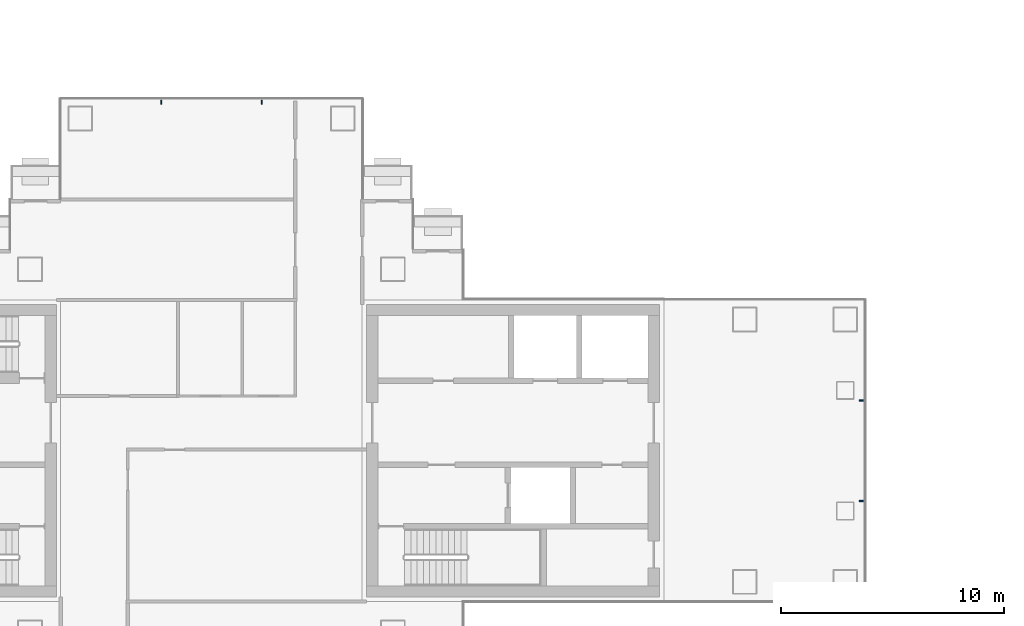
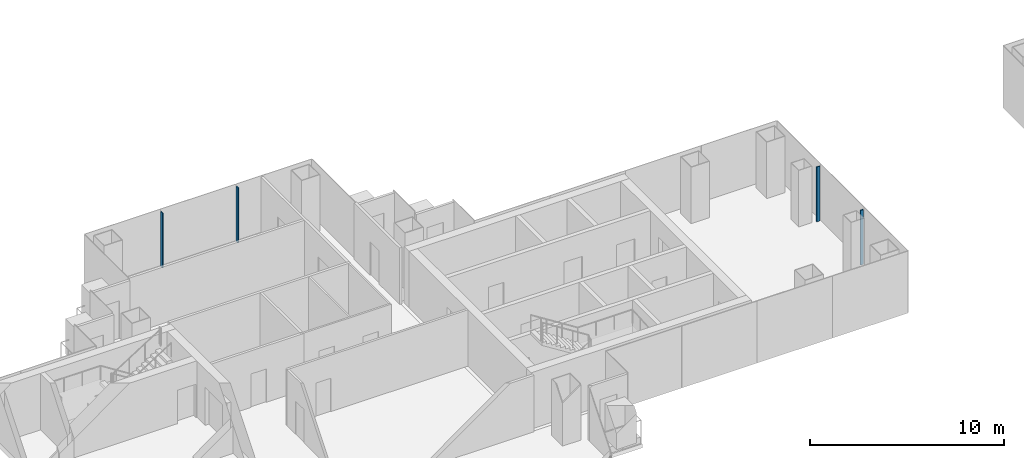
# One storey, part 4 of 16: 4 members, 2 elements without a shape of their own.
"""IFC4 building model written with IfcOpenShell, lengths in metres."""

from ifc_helpers import new_model, si_unit, direction, frame, origin, origin_2d, place, context, subcontext, project, spatial, rectangle, extrude, material, layer, layer_set, material_profile, profile_set, type_object, element, aggregate, save


model = new_model("IFC4")

# Units and contexts
model_context = context("Model", 3, precision=1e-05, world=origin(), true_north=direction((0.0, 1.0)))
body_context = subcontext(model_context, "Body", "Model", "MODEL_VIEW")
ifc_project = project(units=[si_unit("LENGTHUNIT", "METRE"), si_unit("AREAUNIT", "SQUARE_METRE"), si_unit("VOLUMEUNIT", "CUBIC_METRE"), si_unit("PLANEANGLEUNIT", "RADIAN"), si_unit("MASSUNIT", "GRAM", prefix="KILO")], contexts=[model_context])

# Site, building, storey
site_placement = place(None, origin())
site = spatial("IfcSite", under=ifc_project, at=site_placement, CompositionType="ELEMENT")
building_placement = place(site_placement, origin())
building = spatial("IfcBuilding", under=site, at=building_placement, Name="Shamsa Quay Exchange Towers", CompositionType="ELEMENT")
storey_placement = place(building_placement, frame((0.0, 0.0, 154.5)))
storey = spatial("IfcBuildingStorey", under=building, at=storey_placement, Name="L36", CompositionType="ELEMENT", Elevation=154.5)

# Curtain wall, members
ifc_material = material(Name="Aluminium EN AW-6063 T6, black anodised", Category="aluminium")
ifc_layer = layer(ifc_material, 0.280029296875)
ifc_layer_set = layer_set([ifc_layer], Name="CW-1 UNITISED VISION GLASS")
curtain_wall_type = type_object("IfcCurtainWallType", Name="CW-1 UNITISED VISION GLASS", PredefinedType="NOTDEFINED", material=ifc_layer_set)
curtain_wall_1_placement = place(storey_placement, origin())
curtain_wall_1 = element("IfcCurtainWall", 1, at=curtain_wall_1_placement, inside=storey, type_object=curtain_wall_type, Name="CW1 T1-END-U+ L36", PredefinedType="NOTDEFINED")
ifc_material_profile = material_profile(ifc_material, rectangle(XDim=0.179931640625, YDim=0.06005859375, at=origin_2d()), Name="MU60x180")
ifc_profile_set = profile_set([ifc_material_profile], Name="Aluminium EN AW-6063 T6, black anodised")
member_type = type_object("IfcMemberType", Name="CW1 MULLION 60x180", PredefinedType="MULLION", material=ifc_profile_set)
member_1_placement = place(storey_placement, frame((-4.64990234375, -2.25, 0.0), z_axis=(0.0, 0.0, 1.0), x_axis=(-1.0, 0.0, 0.0)))
member_1 = element("IfcMember", 2, at=member_1_placement, type_object=member_type, Name="CW1 mullion", PredefinedType="MULLION", context=body_context, shape_type="SweptSolid", body=[
    extrude(rectangle(XDim=0.179931640625, YDim=0.06005859375, at=origin_2d()), origin(), (0.0, 0.0, 1.0), 3.449951171875),
])
member_2_placement = place(storey_placement, frame((-4.64990234375, 2.25, 0.0), z_axis=(0.0, 0.0, 1.0), x_axis=(-1.0, 0.0, 0.0)))
member_2 = element("IfcMember", 3, at=member_2_placement, type_object=member_type, Name="CW1 mullion", PredefinedType="MULLION", context=body_context, shape_type="SweptSolid", body=[
    extrude(rectangle(XDim=0.179931640625, YDim=0.06005859375, at=origin_2d()), origin(), (0.0, 0.0, 1.0), 3.449951171875),
])
aggregate(curtain_wall_1, [member_1, member_2])

curtain_wall_2_placement = place(storey_placement, origin())
curtain_wall_2 = element("IfcCurtainWall", 4, at=curtain_wall_2_placement, inside=storey, type_object=curtain_wall_type, Name="CW1 T1-END-V+ L36", PredefinedType="NOTDEFINED")
member_3_placement = place(storey_placement, frame((-31.5, 15.60009765625, 0.0), z_axis=(0.0, 0.0, 1.0), x_axis=(0.0, -1.0, 0.0)))
member_3 = element("IfcMember", 5, at=member_3_placement, type_object=member_type, Name="CW1 mullion", PredefinedType="MULLION", context=body_context, shape_type="SweptSolid", body=[
    extrude(rectangle(XDim=0.179931640625, YDim=0.06005859375, at=origin_2d()), origin(), (0.0, 0.0, 1.0), 3.449951171875),
])
member_4_placement = place(storey_placement, frame((-36.0, 15.60009765625, 0.0), z_axis=(0.0, 0.0, 1.0), x_axis=(0.0, -1.0, 0.0)))
member_4 = element("IfcMember", 6, at=member_4_placement, type_object=member_type, Name="CW1 mullion", PredefinedType="MULLION", context=body_context, shape_type="SweptSolid", body=[
    extrude(rectangle(XDim=0.179931640625, YDim=0.06005859375, at=origin_2d()), origin(), (0.0, 0.0, 1.0), 3.449951171875),
])
aggregate(curtain_wall_2, [member_3, member_4])

save(model, "model.ifc")
